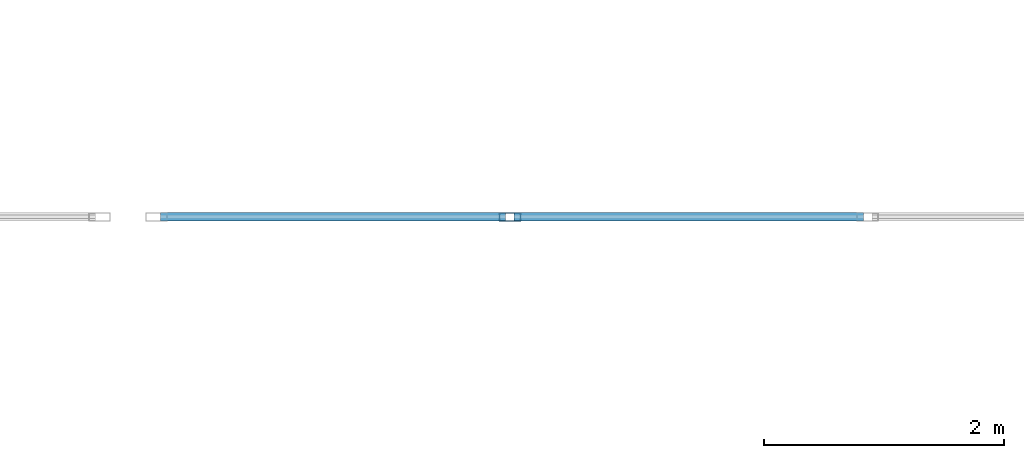
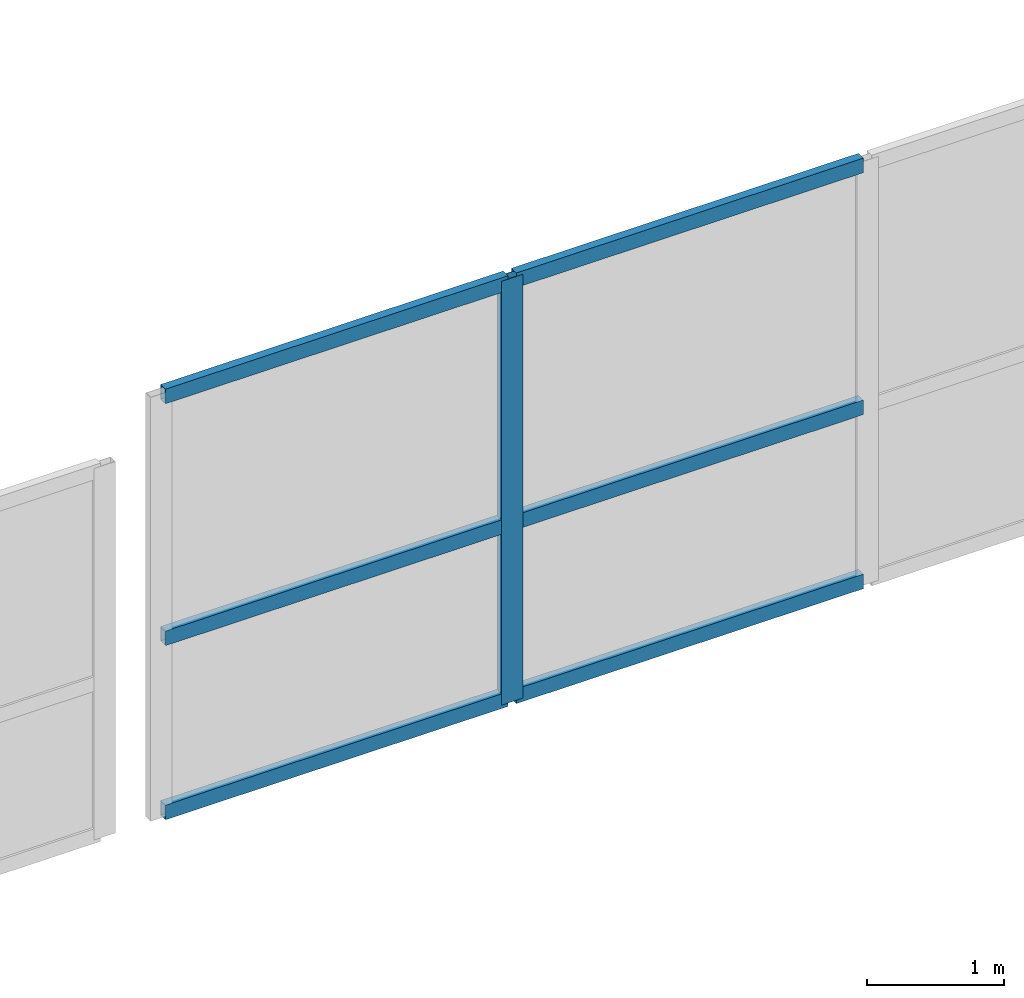
# One storey, part 29 of 60: 7 members, 1 element without a shape of its own.
"""IFC4 building model written with IfcOpenShell, lengths in metres."""

from ifc_helpers import new_model, si_unit, direction, frame, origin, origin_2d, place, context, subcontext, project, spatial, hollow_rectangle, extrude, material, layer, layer_set, material_profile, profile_set, type_object, element, aggregate, save


model = new_model("IFC4")

# Units and contexts
model_context = context("Model", 3, precision=1e-05, world=origin(), true_north=direction((0.0, 1.0)))
body_context = subcontext(model_context, "Body", "Model", "MODEL_VIEW")
ifc_project = project(units=[si_unit("LENGTHUNIT", "METRE"), si_unit("AREAUNIT", "SQUARE_METRE"), si_unit("VOLUMEUNIT", "CUBIC_METRE"), si_unit("PLANEANGLEUNIT", "RADIAN"), si_unit("MASSUNIT", "GRAM", prefix="KILO")], contexts=[model_context])

# Site, building, storey
site_placement = place(None, origin())
site = spatial("IfcSite", under=ifc_project, at=site_placement, CompositionType="ELEMENT")
building_placement = place(site_placement, origin())
building = spatial("IfcBuilding", under=site, at=building_placement, Name="Quillay Park Conservatory", CompositionType="ELEMENT")
storey_placement = place(building_placement, frame((0.0, 0.0, 9.89990234375)))
storey = spatial("IfcBuildingStorey", under=building, at=storey_placement, Name="L02", CompositionType="ELEMENT", Elevation=9.89990234375)

# Curtain wall, members
ifc_material_1 = material(Name="Thermally Broken Anodised Aluminium 6063-T6", Category="aluminium")
ifc_layer = layer(ifc_material_1, 0.219970703125)
ifc_layer_set = layer_set([ifc_layer], Name="UNITISED CURTAIN WALL CONSERVATORY (Thermally Broken Anodised Aluminium 6063-T6)")
curtain_wall_type = type_object("IfcCurtainWallType", Name="UNITISED CURTAIN WALL CONSERVATORY", PredefinedType="USERDEFINED", material=ifc_layer_set)
curtain_wall_placement = place(storey_placement, origin())
curtain_wall = element("IfcCurtainWall", 1, at=curtain_wall_placement, inside=storey, type_object=curtain_wall_type, Name="L02 Unitised Curtain Wall 190", ObjectType="UNITISED CURTAIN WALL", PredefinedType="USERDEFINED")
ifc_material_2 = material(Name="Thermally Broken Anodised Aluminium 6063-T6", Category="aluminium")
ifc_material_profile_1 = material_profile(ifc_material_2, hollow_rectangle(XDim=0.070068359375, YDim=0.179931640625, WallThickness=0.00390625, at=origin_2d()), Name="AL70x180x4")
ifc_profile_set_1 = profile_set([ifc_material_profile_1], Name="Thermally Broken Anodised Aluminium 6063-T6")
member_type_1 = type_object("IfcMemberType", Name="CURTAIN WALL MULLION 70 X180", PredefinedType="MULLION", material=ifc_profile_set_1)
member_1_placement = place(storey_placement, frame((61.902587890625, 85.550048828125, 0.7001953125), z_axis=(0.0, 0.0, 1.0), x_axis=(0.0, -1.0, 0.0)))
member_1 = element("IfcMember", 2, at=member_1_placement, type_object=member_type_1, Name="CW-C1 mullion 3", PredefinedType="MULLION", context=body_context, shape_type="SweptSolid", body=[
    extrude(hollow_rectangle(XDim=0.070068359375, YDim=0.179931640625, WallThickness=0.00390625, at=origin_2d()), origin(), (0.0, 0.0, 1.0), 3.763427734375),
])
ifc_material_3 = material(Name="Thermally Broken Anodised Aluminium 6063-T6", Category="aluminium")
ifc_material_profile_2 = material_profile(ifc_material_3, hollow_rectangle(XDim=0.070068359375, YDim=0.1298828125, WallThickness=0.003173828125, at=origin_2d()), Name="AL70x130x3.2")
ifc_profile_set_2 = profile_set([ifc_material_profile_2], Name="Thermally Broken Anodised Aluminium 6063-T6")
member_type_2 = type_object("IfcMemberType", Name="CURTAIN WALL TRANSOM 70 X130", PredefinedType="USERDEFINED", material=ifc_profile_set_2)
member_2_placement = place(storey_placement, frame((64.851318359375, 85.550048828125, 0.735107421875), z_axis=(-1.0, 0.0, 0.0), x_axis=(0.0, -1.0, 0.0)))
member_2 = element("IfcMember", 3, at=member_2_placement, type_object=member_type_2, Name="CW-C1 transom 2.1", ObjectType="TRANSOM", PredefinedType="USERDEFINED", context=body_context, shape_type="SweptSolid", body=[
    extrude(hollow_rectangle(XDim=0.070068359375, YDim=0.1298828125, WallThickness=0.003173828125, at=origin_2d()), origin(), (0.0, 0.0, 1.0), 2.913818359375),
])
member_3_placement = place(storey_placement, frame((64.851318359375, 85.550048828125, 2.28076171875), z_axis=(-1.0, 0.0, 0.0), x_axis=(0.0, -1.0, 0.0)))
member_3 = element("IfcMember", 4, at=member_3_placement, type_object=member_type_2, Name="CW-C1 transom 2.2", ObjectType="TRANSOM", PredefinedType="USERDEFINED", context=body_context, shape_type="SweptSolid", body=[
    extrude(hollow_rectangle(XDim=0.070068359375, YDim=0.1298828125, WallThickness=0.003173828125, at=origin_2d()), origin(), (0.0, 0.0, 1.0), 2.913818359375),
])
member_4_placement = place(storey_placement, frame((64.851318359375, 85.550048828125, 4.4287109375), z_axis=(-1.0, 0.0, 0.0), x_axis=(0.0, -1.0, 0.0)))
member_4 = element("IfcMember", 5, at=member_4_placement, type_object=member_type_2, Name="CW-C1 transom 2.3", ObjectType="TRANSOM", PredefinedType="USERDEFINED", context=body_context, shape_type="SweptSolid", body=[
    extrude(hollow_rectangle(XDim=0.070068359375, YDim=0.1298828125, WallThickness=0.003173828125, at=origin_2d()), origin(), (0.0, 0.0, 1.0), 2.913818359375),
])
member_5_placement = place(storey_placement, frame((61.867431640625, 85.550048828125, 0.735107421875), z_axis=(-1.0, 0.0, 0.0), x_axis=(0.0, -1.0, 0.0)))
member_5 = element("IfcMember", 6, at=member_5_placement, type_object=member_type_2, Name="CW-C1 transom 3.1", ObjectType="TRANSOM", PredefinedType="USERDEFINED", context=body_context, shape_type="SweptSolid", body=[
    extrude(hollow_rectangle(XDim=0.070068359375, YDim=0.1298828125, WallThickness=0.003173828125, at=origin_2d()), origin(), (0.0, 0.0, 1.0), 2.878662109375),
])
member_6_placement = place(storey_placement, frame((61.867431640625, 85.550048828125, 2.28076171875), z_axis=(-1.0, 0.0, 0.0), x_axis=(0.0, -1.0, 0.0)))
member_6 = element("IfcMember", 7, at=member_6_placement, type_object=member_type_2, Name="CW-C1 transom 3.2", ObjectType="TRANSOM", PredefinedType="USERDEFINED", context=body_context, shape_type="SweptSolid", body=[
    extrude(hollow_rectangle(XDim=0.070068359375, YDim=0.1298828125, WallThickness=0.003173828125, at=origin_2d()), origin(), (0.0, 0.0, 1.0), 2.878662109375),
])
member_7_placement = place(storey_placement, frame((61.867431640625, 85.550048828125, 4.4287109375), z_axis=(-1.0, 0.0, 0.0), x_axis=(0.0, -1.0, 0.0)))
member_7 = element("IfcMember", 8, at=member_7_placement, type_object=member_type_2, Name="CW-C1 transom 3.3", ObjectType="TRANSOM", PredefinedType="USERDEFINED", context=body_context, shape_type="SweptSolid", body=[
    extrude(hollow_rectangle(XDim=0.070068359375, YDim=0.1298828125, WallThickness=0.003173828125, at=origin_2d()), origin(), (0.0, 0.0, 1.0), 2.878662109375),
])
aggregate(curtain_wall, [member_1, member_2, member_3, member_4, member_5, member_6, member_7])

save(model, "model.ifc")
